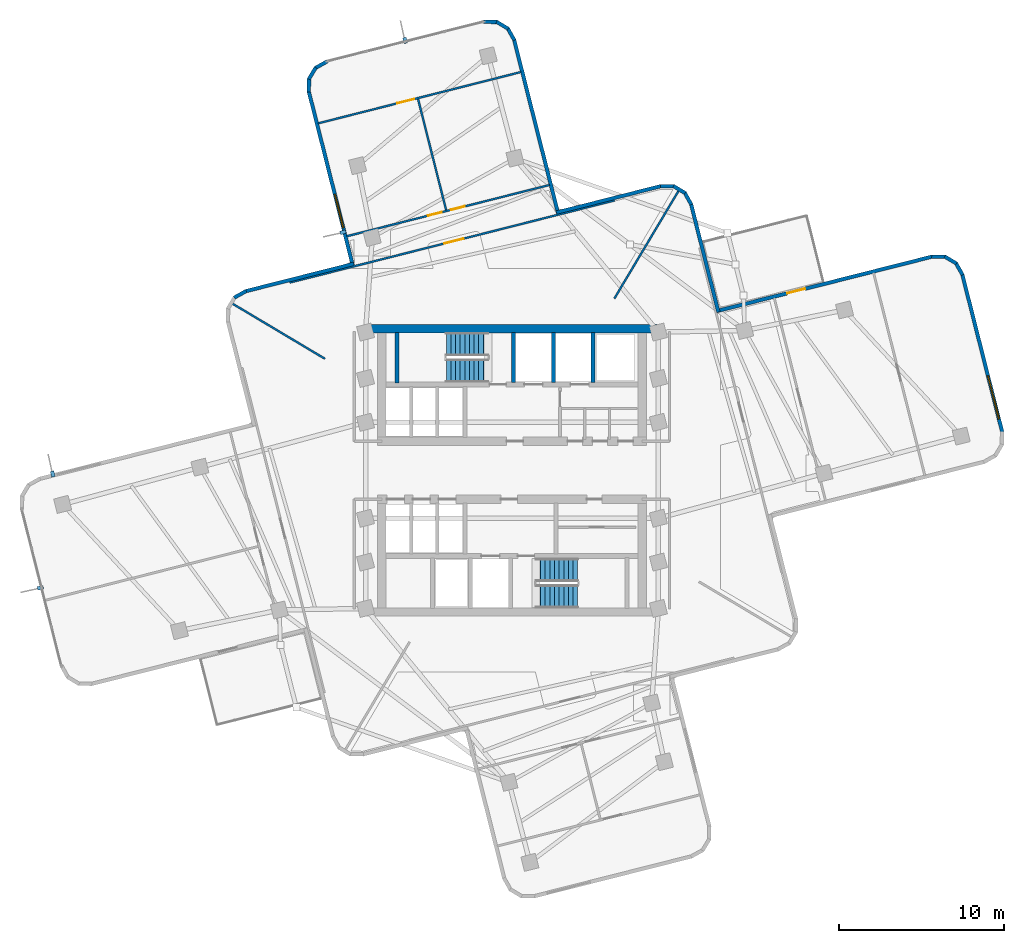
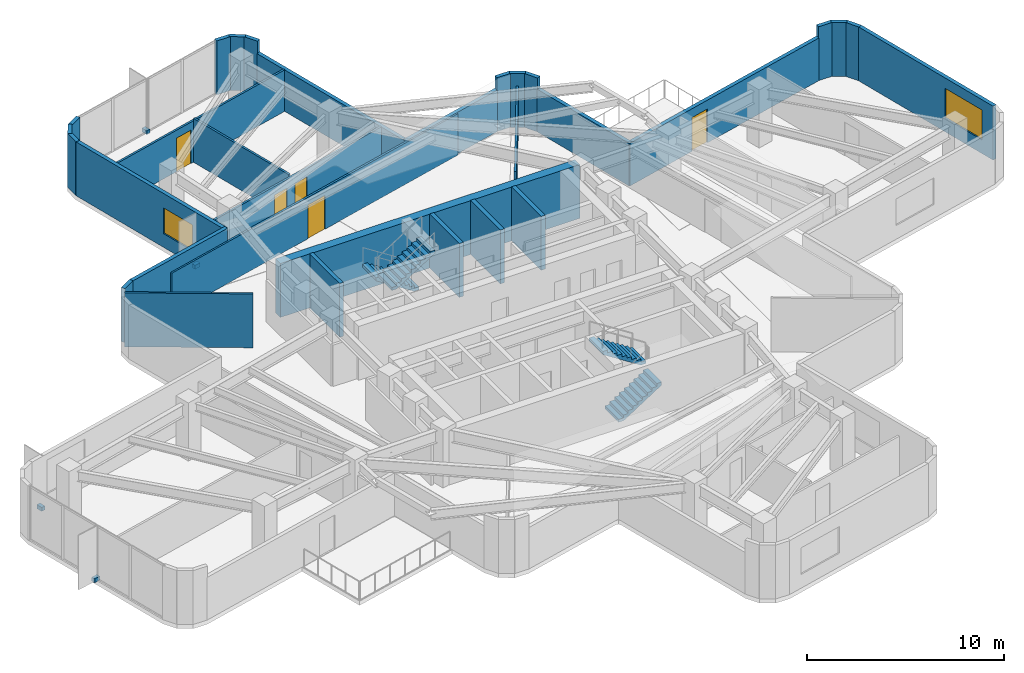
# One storey, part 8 of 11: 31 walls, 5 doors, 4 discrete accessories, 4 stair flights, 2 windows, 7 openings, 2 elements without a shape of their own.
"""IFC4 building model written with IfcOpenShell, lengths in metres."""

from ifc_helpers import new_model, si_unit, direction, frame, frame_2d, origin, origin_2d, place, context, subcontext, project, spatial, polyline, rectangle, outline, extrude, material, layer, layer_set, type_object, element, fill, aggregate, save


model = new_model("IFC4")

# Units and contexts
model_context = context("Model", 3, precision=1e-05, world=origin(), true_north=direction((0.0, 1.0)))
body_context = subcontext(model_context, "Body", "Model", "MODEL_VIEW")
ifc_project = project(units=[si_unit("LENGTHUNIT", "METRE"), si_unit("AREAUNIT", "SQUARE_METRE"), si_unit("VOLUMEUNIT", "CUBIC_METRE"), si_unit("PLANEANGLEUNIT", "RADIAN"), si_unit("MASSUNIT", "GRAM", prefix="KILO")], contexts=[model_context])

# Site, building, storey
site_placement = place(None, origin())
site = spatial("IfcSite", under=ifc_project, at=site_placement, CompositionType="ELEMENT")
building_placement = place(site_placement, origin())
building = spatial("IfcBuilding", under=site, at=building_placement, Name="Solmarez Civic Tower", CompositionType="ELEMENT")
storey_placement = place(building_placement, frame((0.0, 0.0, 127.080078125)))
storey = spatial("IfcBuildingStorey", under=building, at=storey_placement, Name="L33", CompositionType="ELEMENT", Elevation=127.080078125)

# Walls
ifc_material_1 = material(Name="Concrete C60/75", Category="concrete")
ifc_layer_1 = layer(ifc_material_1, 0.5)
ifc_layer_set_1 = layer_set([ifc_layer_1], Name="Concrete C60/75")
wall_type_1 = type_object("IfcWallType", Name="WALL-CORE-500", PredefinedType="SHEAR", material=ifc_layer_set_1)
wall_1_placement = place(storey_placement, frame((-8.780029296875, 8.56005859375, 0.0), z_axis=(0.0, 0.0, 1.0), x_axis=(1.0, 0.0, 0.0)))
element("IfcWall", 1, at=wall_1_placement, inside=storey, type_object=wall_type_1, Name="L33 Split-Core Structural Wall NCW-N-L33", PredefinedType="SHEAR", context=body_context, shape_type="SweptSolid", body=[
    extrude(rectangle(XDim=17.56005859375, YDim=0.5, at=frame_2d((8.780029296875, 0.0))), origin(), (0.0, 0.0, 1.0), 3.33984375),
])
ifc_material_2 = material(Name="Precast concrete C40/50", Category="concrete")
ifc_layer_2 = layer(ifc_material_2, 0.219970703125)
ifc_layer_set_2 = layer_set([ifc_layer_2], Name="Precast concrete C40/50")
wall_type_2 = type_object("IfcWallType", Name="WALL-EXT-220", PredefinedType="SOLIDWALL", material=ifc_layer_set_2)
wall_2_placement = place(storey_placement, frame((-16.7890625, 10.430908203125, 0.0), z_axis=(0.0, 0.0, 1.0), x_axis=(0.872870149311, 0.487952561671, 0.0)))
element("IfcWall", 2, at=wall_2_placement, inside=storey, type_object=wall_type_2, Name="L33 Exterior Precast Wall 16", PredefinedType="SOLIDWALL", context=body_context, shape_type="SweptSolid", body=[
    extrude(rectangle(XDim=0.833984375, YDim=0.219970703125, at=frame_2d((0.4169921875, 0.0))), origin(), (0.0, 0.0, 1.0), 3.33984375),
])
wall_3_placement = place(storey_placement, frame((-16.10693359375, 10.820068359375, 0.0), z_axis=(0.0, 0.0, 1.0), x_axis=(0.969443674581, 0.245314006561, 0.0)))
element("IfcWall", 3, at=wall_3_placement, inside=storey, type_object=wall_type_2, Name="L33 Exterior Precast Wall 17", PredefinedType="SOLIDWALL", context=body_context, shape_type="SweptSolid", body=[
    extrude(rectangle(XDim=6.758544921875, YDim=0.219970703125, at=frame_2d((3.37939453125, 0.0))), origin(), (0.0, 0.0, 1.0), 3.33984375),
])

# Wall, opening, window
wall_4_placement = place(storey_placement, frame((-9.617919921875, 12.37109375, 0.0), z_axis=(0.0, 0.0, 1.0), x_axis=(-0.245359810912, 0.969432082814, 0.0)))
wall_4 = element("IfcWall", 4, at=wall_4_placement, inside=storey, type_object=wall_type_2, Name="L33 Exterior Precast Wall 20", PredefinedType="SOLIDWALL", context=body_context, shape_type="SweptSolid", body=[
    extrude(rectangle(XDim=10.857666015625, YDim=0.219970703125, at=frame_2d((5.4287109375, 0.0))), origin(), (0.0, 0.0, 1.0), 3.33984375),
])
opening_1_placement = place(wall_4_placement, frame((2.35009765625, 0.0, 0.85009765625)))
opening_1 = element("IfcOpeningElement", 5, at=opening_1_placement, cuts=wall_4, Name="Opening W-11", PredefinedType="OPENING", context=body_context, shape_type="SweptSolid", body=[
    extrude(rectangle(XDim=2.10009765625, YDim=1.60009765625, at=frame_2d((1.050048828125, 0.800048828125))), frame((0.0, 0.119873046875, 0.0), z_axis=(0.0, -1.0, 0.0), x_axis=(1.0, 0.0, 0.0)), (0.0, 0.0, 1.0), 0.239990234375),
])
ifc_material_3 = material(Name="Solar Control Bronze-Tinted Insulating Glass", Category="glass")
window_type_1 = type_object("IfcWindowType", Name="WIN-2100X1600", PartitioningType="SINGLE_PANEL", PredefinedType="WINDOW", material=ifc_material_3)
window_1_placement = place(opening_1_placement, origin())
window_1 = element("IfcWindow", 6, at=window_1_placement, inside=storey, type_object=window_type_1, Name="L33 Exterior Facade Window 20", OverallHeight=1.60009765625, OverallWidth=2.10009765625, PartitioningType="SINGLE_PANEL", PredefinedType="WINDOW", context=body_context, shape_type="SweptSolid", body=[
    extrude(rectangle(XDim=2.10009765625, YDim=1.60009765625, at=frame_2d((1.050048828125, 0.800048828125))), frame((0.0, 0.030029296875, 0.0), z_axis=(0.0, -1.0, 0.0), x_axis=(1.0, 0.0, 0.0)), (0.0, 0.0, 1.0), 0.06005859375),
])
fill(opening_1, window_1)

# Walls
wall_5_placement = place(storey_placement, frame((-12.27587890625, 22.847900390625, 0.0), z_axis=(0.0, 0.0, 1.0), x_axis=(0.013172159236, 0.999913243347, 0.0)))
element("IfcWall", 7, at=wall_5_placement, inside=storey, type_object=wall_type_2, Name="L33 Exterior Precast Wall 21", PredefinedType="SOLIDWALL", context=body_context, shape_type="SweptSolid", body=[
    extrude(rectangle(XDim=0.833984375, YDim=0.219970703125, at=frame_2d((0.4169921875, 0.0))), origin(), (0.0, 0.0, 1.0), 3.33984375),
])
wall_6_placement = place(storey_placement, frame((-12.278076171875, 23.635986328125, 0.0), z_axis=(0.0, 0.0, 1.0), x_axis=(0.512960801038, 0.858412031951, 0.0)))
element("IfcWall", 8, at=wall_6_placement, inside=storey, type_object=wall_type_2, Name="L33 Exterior Precast Wall 22", PredefinedType="SOLIDWALL", context=body_context, shape_type="SweptSolid", body=[
    extrude(rectangle(XDim=0.819091796875, YDim=0.219970703125, at=frame_2d((0.40966796875, 0.0))), origin(), (0.0, 0.0, 1.0), 3.33984375),
])
wall_7_placement = place(storey_placement, frame((-11.89306640625, 24.305908203125, 0.0), z_axis=(0.0, 0.0, 1.0), x_axis=(0.872870149311, 0.487952561671, 0.0)))
element("IfcWall", 9, at=wall_7_placement, inside=storey, type_object=wall_type_2, Name="L33 Exterior Precast Wall 23", PredefinedType="SOLIDWALL", context=body_context, shape_type="SweptSolid", body=[
    extrude(rectangle(XDim=0.833984375, YDim=0.219970703125, at=frame_2d((0.4169921875, 0.0))), origin(), (0.0, 0.0, 1.0), 3.33984375),
])
wall_8_placement = place(storey_placement, frame((-1.719970703125, 27.10205078125, 0.0), z_axis=(0.0, 0.0, 1.0), x_axis=(0.999913446142, -0.01315675587, 0.0)))
element("IfcWall", 10, at=wall_8_placement, inside=storey, type_object=wall_type_2, Name="L33 Exterior Precast Wall 25", PredefinedType="SOLIDWALL", context=body_context, shape_type="SweptSolid", body=[
    extrude(rectangle(XDim=0.8349609375, YDim=0.219970703125, at=frame_2d((0.41748046875, 0.0))), origin(), (0.0, 0.0, 1.0), 3.33984375),
])
wall_9_placement = place(storey_placement, frame((-0.930908203125, 27.10400390625, 0.0), z_axis=(0.0, 0.0, 1.0), x_axis=(0.858676543827, -0.512517895376, 0.0)))
element("IfcWall", 11, at=wall_9_placement, inside=storey, type_object=wall_type_2, Name="L33 Exterior Precast Wall 26", PredefinedType="SOLIDWALL", context=body_context, shape_type="SweptSolid", body=[
    extrude(rectangle(XDim=0.8173828125, YDim=0.219970703125, at=frame_2d((0.40869140625, 0.0))), origin(), (0.0, 0.0, 1.0), 3.33984375),
])
wall_10_placement = place(storey_placement, frame((-0.261962890625, 26.719970703125, 0.0), z_axis=(0.0, 0.0, 1.0), x_axis=(0.487454303052, -0.873148499647, 0.0)))
element("IfcWall", 12, at=wall_10_placement, inside=storey, type_object=wall_type_2, Name="L33 Exterior Precast Wall 27", PredefinedType="SOLIDWALL", context=body_context, shape_type="SweptSolid", body=[
    extrude(rectangle(XDim=0.8349609375, YDim=0.219970703125, at=frame_2d((0.41748046875, 0.0))), origin(), (0.0, 0.0, 1.0), 3.33984375),
])
wall_11_placement = place(storey_placement, frame((0.126953125, 26.037109375, 0.0), z_axis=(0.0, 0.0, 1.0), x_axis=(0.245354462674, -0.969433436418, 0.0)))
element("IfcWall", 13, at=wall_11_placement, inside=storey, type_object=wall_type_2, Name="L33 Exterior Precast Wall 28", PredefinedType="SOLIDWALL", context=body_context, shape_type="SweptSolid", body=[
    extrude(rectangle(XDim=10.85791015625, YDim=0.219970703125, at=frame_2d((5.428955078125, 0.0))), origin(), (0.0, 0.0, 1.0), 2.56982421875),
])
wall_12_placement = place(storey_placement, frame((2.68408203125, 15.573974609375, 0.0), z_axis=(0.0, 0.0, 1.0), x_axis=(0.969435490349, 0.245346347134, 0.0)))
element("IfcWall", 14, at=wall_12_placement, inside=storey, type_object=wall_type_2, Name="L33 Exterior Precast Wall 31", PredefinedType="SOLIDWALL", context=body_context, shape_type="SweptSolid", body=[
    extrude(rectangle(XDim=6.53759765625, YDim=0.219970703125, at=frame_2d((3.268798828125, 0.0))), origin(), (0.0, 0.0, 1.0), 2.56982421875),
])
wall_13_placement = place(storey_placement, frame((8.972900390625, 17.172119140625, 0.0), z_axis=(0.0, 0.0, 1.0), x_axis=(0.999909345183, -0.013464821393, 0.0)))
element("IfcWall", 15, at=wall_13_placement, inside=storey, type_object=wall_type_2, Name="L33 Exterior Precast Wall 32", PredefinedType="SOLIDWALL", context=body_context, shape_type="SweptSolid", body=[
    extrude(rectangle(XDim=0.833984375, YDim=0.219970703125, at=frame_2d((0.4169921875, 0.0))), origin(), (0.0, 0.0, 1.0), 3.33984375),
])
wall_14_placement = place(storey_placement, frame((9.760986328125, 17.174072265625, 0.0), z_axis=(0.0, 0.0, 1.0), x_axis=(0.858412031951, -0.512960801038, 0.0)))
element("IfcWall", 16, at=wall_14_placement, inside=storey, type_object=wall_type_2, Name="L33 Exterior Precast Wall 33", PredefinedType="SOLIDWALL", context=body_context, shape_type="SweptSolid", body=[
    extrude(rectangle(XDim=0.819091796875, YDim=0.219970703125, at=frame_2d((0.40966796875, 0.0))), origin(), (0.0, 0.0, 1.0), 3.33984375),
])
wall_15_placement = place(storey_placement, frame((10.430908203125, 16.7890625, 0.0), z_axis=(0.0, 0.0, 1.0), x_axis=(0.487952561671, -0.872870149311, 0.0)))
element("IfcWall", 17, at=wall_15_placement, inside=storey, type_object=wall_type_2, Name="L33 Exterior Precast Wall 34", PredefinedType="SOLIDWALL", context=body_context, shape_type="SweptSolid", body=[
    extrude(rectangle(XDim=0.833984375, YDim=0.219970703125, at=frame_2d((0.4169921875, 0.0))), origin(), (0.0, 0.0, 1.0), 3.33984375),
])
wall_16_placement = place(storey_placement, frame((10.820068359375, 16.10693359375, 0.0), z_axis=(0.0, 0.0, 1.0), x_axis=(0.245314006561, -0.969443674581, 0.0)))
element("IfcWall", 18, at=wall_16_placement, inside=storey, type_object=wall_type_2, Name="L33 Exterior Precast Wall 35", PredefinedType="SOLIDWALL", context=body_context, shape_type="SweptSolid", body=[
    extrude(rectangle(XDim=6.758544921875, YDim=0.219970703125, at=frame_2d((3.37939453125, 0.0))), origin(), (0.0, 0.0, 1.0), 2.64404296875),
])

# Wall, opening, door
wall_17_placement = place(storey_placement, frame((12.37109375, 9.617919921875, 0.0), z_axis=(0.0, 0.0, 1.0), x_axis=(0.969434127448, 0.245351732293, 0.0)))
wall_17 = element("IfcWall", 19, at=wall_17_placement, inside=storey, type_object=wall_type_2, Name="L33 Exterior Precast Wall 38", PredefinedType="SOLIDWALL", context=body_context, shape_type="SweptSolid", body=[
    extrude(rectangle(XDim=13.458251953125, YDim=0.219970703125, at=frame_2d((6.72900390625, 0.0))), origin(), (0.0, 0.0, 1.0), 2.64404296875),
])
opening_2_placement = place(wall_17_placement, frame((4.39990234375, 0.0, 0.0)))
opening_2 = element("IfcOpeningElement", 20, at=opening_2_placement, cuts=wall_17, Name="Opening D-06", PredefinedType="OPENING", context=body_context, shape_type="SweptSolid", body=[
    extrude(rectangle(XDim=1.10009765625, YDim=2.10009765625, at=frame_2d((0.550048828125, 1.050048828125))), frame((0.0, 0.119873046875, 0.0), z_axis=(0.0, -1.0, 0.0), x_axis=(1.0, 0.0, 0.0)), (0.0, 0.0, 1.0), 0.239990234375),
])
ifc_material_4 = material(Name="Bronze Anodised Aluminium Glazed Terrace Door", Category="aluminium")
door_type_1 = type_object("IfcDoorType", Name="DOOR-TERR-1100", OperationType="NOTDEFINED", PredefinedType="DOOR", material=ifc_material_4)
door_1_placement = place(opening_2_placement, origin())
door_1 = element("IfcDoor", 21, at=door_1_placement, inside=storey, type_object=door_type_1, Name="L33 Outdoor Terrace Glazed Door", OperationType="SINGLE_SWING_RIGHT", OverallHeight=2.10009765625, OverallWidth=1.10009765625, PredefinedType="DOOR", context=body_context, shape_type="SweptSolid", body=[
    extrude(rectangle(XDim=1.10009765625, YDim=2.10009765625, at=frame_2d((0.550048828125, 1.050048828125))), frame((0.0, 0.02490234375, 0.0), z_axis=(0.0, -1.0, 0.0), x_axis=(1.0, 0.0, 0.0)), (0.0, 0.0, 1.0), 0.050048828125),
])
fill(opening_2, door_1)

# Walls
wall_18_placement = place(storey_placement, frame((25.368896484375, 12.9140625, 0.0), z_axis=(0.0, 0.0, 1.0), x_axis=(0.999913243347, -0.013172159236, 0.0)))
element("IfcWall", 22, at=wall_18_placement, inside=storey, type_object=wall_type_2, Name="L33 Exterior Precast Wall 39", PredefinedType="SOLIDWALL", context=body_context, shape_type="SweptSolid", body=[
    extrude(rectangle(XDim=0.833984375, YDim=0.219970703125, at=frame_2d((0.4169921875, 0.0))), origin(), (0.0, 0.0, 1.0), 3.33984375),
])
wall_19_placement = place(storey_placement, frame((26.156982421875, 12.916015625, 0.0), z_axis=(0.0, 0.0, 1.0), x_axis=(0.858543269067, -0.512741119026, 0.0)))
element("IfcWall", 23, at=wall_19_placement, inside=storey, type_object=wall_type_2, Name="L33 Exterior Precast Wall 40", PredefinedType="SOLIDWALL", context=body_context, shape_type="SweptSolid", body=[
    extrude(rectangle(XDim=0.819091796875, YDim=0.219970703125, at=frame_2d((0.40966796875, 0.0))), origin(), (0.0, 0.0, 1.0), 3.33984375),
])
wall_20_placement = place(storey_placement, frame((26.826904296875, 12.531005859375, 0.0), z_axis=(0.0, 0.0, 1.0), x_axis=(0.486561807946, -0.873646156661, 0.0)))
element("IfcWall", 24, at=wall_20_placement, inside=storey, type_object=wall_type_2, Name="L33 Exterior Precast Wall 41", PredefinedType="SOLIDWALL", context=body_context, shape_type="SweptSolid", body=[
    extrude(rectangle(XDim=0.83447265625, YDim=0.219970703125, at=frame_2d((0.417236328125, 0.0))), origin(), (0.0, 0.0, 1.0), 3.33984375),
])

# Wall, opening, window
wall_21_placement = place(storey_placement, frame((27.215087890625, 11.847900390625, 0.0), z_axis=(0.0, 0.0, 1.0), x_axis=(0.245295842673, -0.969448270702, 0.0)))
wall_21 = element("IfcWall", 25, at=wall_21_placement, inside=storey, type_object=wall_type_2, Name="L33 Exterior Precast Wall 42", PredefinedType="SOLIDWALL", context=body_context, shape_type="SweptSolid", body=[
    extrude(rectangle(XDim=9.84033203125, YDim=0.219970703125, at=frame_2d((4.920166015625, 0.0))), origin(), (0.0, 0.0, 1.0), 3.33984375),
])
opening_3_placement = place(wall_21_placement, frame((6.325927734375, 0.0, 0.85009765625)))
opening_3 = element("IfcOpeningElement", 26, at=opening_3_placement, cuts=wall_21, Name="Opening W-05", PredefinedType="OPENING", context=body_context, shape_type="SweptSolid", body=[
    extrude(rectangle(XDim=2.699951171875, YDim=1.85009765625, at=frame_2d((1.35009765625, 0.925048828125))), frame((0.0, 0.119873046875, 0.0), z_axis=(0.0, -1.0, 0.0), x_axis=(1.0, 0.0, 0.0)), (0.0, 0.0, 1.0), 0.239990234375),
])
window_type_2 = type_object("IfcWindowType", Name="WIN-2700X1850", PartitioningType="SINGLE_PANEL", PredefinedType="WINDOW", material=ifc_material_3)
window_2_placement = place(opening_3_placement, origin())
window_2 = element("IfcWindow", 27, at=window_2_placement, inside=storey, type_object=window_type_2, Name="L33 Exterior Facade Window 42", OverallHeight=1.85009765625, OverallWidth=2.699951171875, PartitioningType="SINGLE_PANEL", PredefinedType="WINDOW", context=body_context, shape_type="SweptSolid", body=[
    extrude(rectangle(XDim=2.699951171875, YDim=1.85009765625, at=frame_2d((1.35009765625, 0.925048828125))), frame((0.0, 0.030029296875, 0.0), z_axis=(0.0, -1.0, 0.0), x_axis=(1.0, 0.0, 0.0)), (0.0, 0.0, 1.0), 0.06005859375),
])
fill(opening_3, window_2)

# Walls
ifc_material_5 = material(Name="Gypsum Board Acoustic Steel-Stud Partition", Category="steel")
ifc_layer_3 = layer(ifc_material_5, 0.1201171875)
ifc_layer_set_3 = layer_set([ifc_layer_3], Name="Gypsum Board Acoustic Steel-Stud Partition")
wall_type_3 = type_object("IfcWallType", Name="WALL-INT-PART-120", PredefinedType="PARTITIONING", material=ifc_layer_set_3)
wall_22_placement = place(storey_placement, frame((6.18798828125, 10.3798828125, 0.0), z_axis=(0.0, 0.0, 1.0), x_axis=(0.511972353143, 0.859001926434, 0.0)))
element("IfcWall", 28, at=wall_22_placement, inside=storey, type_object=wall_type_3, Name="L33 Interior Partition PT-L33-QDIV-1", PredefinedType="PARTITIONING", context=body_context, shape_type="SweptSolid", body=[
    extrude(rectangle(XDim=7.59033203125, YDim=0.1201171875, at=frame_2d((3.795166015625, 0.0))), origin(), (0.0, 0.0, 1.0), 2.56982421875),
])
wall_23_placement = place(storey_placement, frame((-11.300048828125, 6.736083984375, 0.0), z_axis=(0.0, 0.0, 1.0), x_axis=(-0.858979599017, 0.512009812868, 0.0)))
element("IfcWall", 29, at=wall_23_placement, inside=storey, type_object=wall_type_3, Name="L33 Interior Partition PT-L33-QDIV-2", PredefinedType="PARTITIONING", context=body_context, shape_type="SweptSolid", body=[
    extrude(rectangle(XDim=6.519287109375, YDim=0.1201171875, at=frame_2d((3.259765625, 0.0))), origin(), (0.0, 0.0, 1.0), 3.33984375),
])

# Wall, opening, door
wall_24_placement = place(storey_placement, frame((-13.43310546875, 11.342041015625, 0.0), z_axis=(0.0, 0.0, 1.0), x_axis=(0.969459652587, 0.24525085526, 0.0)))
wall_24 = element("IfcWall", 30, at=wall_24_placement, inside=storey, type_object=wall_type_3, Name="L33 Interior Partition PT-L33-N-ENT", PredefinedType="PARTITIONING", context=body_context, shape_type="SweptSolid", body=[
    extrude(rectangle(XDim=20.2607421875, YDim=0.1201171875, at=frame_2d((10.13037109375, 0.0))), origin(), (0.0, 0.0, 1.0), 2.56982421875),
])
opening_4_placement = place(wall_24_placement, frame((9.639892578125, 0.0, 0.0)))
opening_4 = element("IfcOpeningElement", 31, at=opening_4_placement, cuts=wall_24, Name="Opening D-11", PredefinedType="OPENING", context=body_context, shape_type="SweptSolid", body=[
    extrude(rectangle(XDim=1.199951171875, YDim=2.10009765625, at=frame_2d((0.60009765625, 1.050048828125))), frame((0.0, 0.070068359375, 0.0), z_axis=(0.0, -1.0, 0.0), x_axis=(1.0, 0.0, 0.0)), (0.0, 0.0, 1.0), 0.14013671875),
])
ifc_material_6 = material(Name="Glazed-Vision Acoustic Chamber Door", Category="wood")
door_type_2 = type_object("IfcDoorType", Name="DOOR-INT-1200", OperationType="NOTDEFINED", PredefinedType="DOOR", material=ifc_material_6)
door_2_placement = place(opening_4_placement, origin())
door_2 = element("IfcDoor", 32, at=door_2_placement, inside=storey, type_object=door_type_2, Name="L33 Directorate Office First North Door", OperationType="SINGLE_SWING_LEFT", OverallHeight=2.10009765625, OverallWidth=1.199951171875, PredefinedType="DOOR", context=body_context, shape_type="SweptSolid", body=[
    extrude(rectangle(XDim=1.199951171875, YDim=2.10009765625, at=frame_2d((0.60009765625, 1.050048828125))), frame((0.0, 0.02490234375, 0.0), z_axis=(0.0, -1.0, 0.0), x_axis=(1.0, 0.0, 0.0)), (0.0, 0.0, 1.0), 0.050048828125),
])
fill(opening_4, door_2)

# Wall
wall_25_placement = place(storey_placement, frame((-3.97900390625, 15.72412109375, 0.0), z_axis=(0.0, 0.0, 1.0), x_axis=(-0.245224196517, 0.969466396242, 0.0)))
element("IfcWall", 33, at=wall_25_placement, inside=storey, type_object=wall_type_3, Name="L33 Interior Partition PT-L33-N-MM", PredefinedType="PARTITIONING", context=body_context, shape_type="SweptSolid", body=[
    extrude(rectangle(XDim=6.920166015625, YDim=0.1201171875, at=frame_2d((3.4599609375, 0.0))), origin(), (0.0, 0.0, 1.0), 2.719970703125),
])

# Wall, openings, doors
wall_26_placement = place(storey_placement, frame((2.27392578125, 17.2451171875, 0.0), z_axis=(0.0, 0.0, 1.0), x_axis=(-0.969444849394, -0.24530936383, 0.0)))
wall_26 = element("IfcWall", 34, at=wall_26_placement, inside=storey, type_object=wall_type_3, Name="L33 Interior Partition PT-L33-N-S1", PredefinedType="PARTITIONING", context=body_context, shape_type="SweptSolid", body=[
    extrude(rectangle(XDim=12.6494140625, YDim=0.1201171875, at=frame_2d((6.32470703125, 0.0))), origin(), (0.0, 0.0, 1.0), 2.56982421875),
])
opening_5_placement = place(wall_26_placement, frame((5.284912109375, 0.0, 0.0)))
opening_5 = element("IfcOpeningElement", 35, at=opening_5_placement, cuts=wall_26, Name="Opening D-14", PredefinedType="OPENING", context=body_context, shape_type="SweptSolid", body=[
    extrude(rectangle(XDim=0.860107421875, YDim=2.0400390625, at=frame_2d((0.43017578125, 1.02001953125))), frame((0.0, 0.070068359375, 0.0), z_axis=(0.0, -1.0, 0.0), x_axis=(1.0, 0.0, 0.0)), (0.0, 0.0, 1.0), 0.14013671875),
])
opening_6_placement = place(wall_26_placement, frame((6.72509765625, 0.0, 0.0)))
opening_6 = element("IfcOpeningElement", 36, at=opening_6_placement, cuts=wall_26, Name="Opening D-14", PredefinedType="OPENING", context=body_context, shape_type="SweptSolid", body=[
    extrude(rectangle(XDim=0.860107421875, YDim=2.0400390625, at=frame_2d((0.43017578125, 1.02001953125))), frame((0.0, 0.070068359375, 0.0), z_axis=(0.0, -1.0, 0.0), x_axis=(1.0, 0.0, 0.0)), (0.0, 0.0, 1.0), 0.14013671875),
])
ifc_material_7 = material(Name="Timber Storage and Pantry Door", Category="wood")
door_type_3 = type_object("IfcDoorType", Name="DOOR-INT-850", OperationType="NOTDEFINED", PredefinedType="DOOR", material=ifc_material_7)
door_3_placement = place(opening_5_placement, origin())
door_3 = element("IfcDoor", 37, at=door_3_placement, inside=storey, type_object=door_type_3, Name="L33 Staff Pantry Third North Door", OperationType="SINGLE_SWING_RIGHT", OverallHeight=2.0400390625, OverallWidth=0.860107421875, PredefinedType="DOOR", context=body_context, shape_type="SweptSolid", body=[
    extrude(rectangle(XDim=0.860107421875, YDim=2.0400390625, at=frame_2d((0.43017578125, 1.02001953125))), frame((0.0, 0.02490234375, 0.0), z_axis=(0.0, -1.0, 0.0), x_axis=(1.0, 0.0, 0.0)), (0.0, 0.0, 1.0), 0.050048828125),
])
fill(opening_5, door_3)
door_4_placement = place(opening_6_placement, origin())
door_4 = element("IfcDoor", 38, at=door_4_placement, inside=storey, type_object=door_type_3, Name="L33 Policy Boardroom Second North Door", OperationType="SINGLE_SWING_LEFT", OverallHeight=2.0400390625, OverallWidth=0.860107421875, PredefinedType="DOOR", context=body_context, shape_type="SweptSolid", body=[
    extrude(rectangle(XDim=0.860107421875, YDim=2.0400390625, at=frame_2d((0.43017578125, 1.02001953125))), frame((0.0, 0.02490234375, 0.0), z_axis=(0.0, -1.0, 0.0), x_axis=(1.0, 0.0, 0.0)), (0.0, 0.0, 1.0), 0.050048828125),
])
fill(opening_6, door_4)

# Wall, opening, door
wall_27_placement = place(storey_placement, frame((-11.716064453125, 20.966064453125, 0.0), z_axis=(0.0, 0.0, 1.0), x_axis=(0.96942764939, 0.245377326983, 0.0)))
wall_27 = element("IfcWall", 39, at=wall_27_placement, inside=storey, type_object=wall_type_3, Name="L33 Interior Partition PT-L33-N-S2", PredefinedType="PARTITIONING", context=body_context, shape_type="SweptSolid", body=[
    extrude(rectangle(XDim=12.64990234375, YDim=0.1201171875, at=frame_2d((6.324951171875, 0.0))), origin(), (0.0, 0.0, 1.0), 2.56982421875),
])
opening_7_placement = place(wall_27_placement, frame((4.93994140625, 0.0, 0.0)))
opening_7 = element("IfcOpeningElement", 40, at=opening_7_placement, cuts=wall_27, Name="Opening D-13", PredefinedType="OPENING", context=body_context, shape_type="SweptSolid", body=[
    extrude(rectangle(XDim=1.050048828125, YDim=2.080078125, at=frame_2d((0.52490234375, 1.0400390625))), frame((0.0, 0.070068359375, 0.0), z_axis=(0.0, -1.0, 0.0), x_axis=(1.0, 0.0, 0.0)), (0.0, 0.0, 1.0), 0.14013671875),
])
ifc_material_8 = material(Name="Timber Directorate Office Door", Category="wood")
door_type_4 = type_object("IfcDoorType", Name="DOOR-INT-1050", OperationType="NOTDEFINED", PredefinedType="DOOR", material=ifc_material_8)
door_5_placement = place(opening_7_placement, origin())
door_5 = element("IfcDoor", 41, at=door_5_placement, inside=storey, type_object=door_type_4, Name="L33 Ministry Open Workspace Fourth North Door", OperationType="SINGLE_SWING_LEFT", OverallHeight=2.080078125, OverallWidth=1.050048828125, PredefinedType="DOOR", context=body_context, shape_type="SweptSolid", body=[
    extrude(rectangle(XDim=1.050048828125, YDim=2.080078125, at=frame_2d((0.52490234375, 1.0400390625))), frame((0.0, 0.02490234375, 0.0), z_axis=(0.0, -1.0, 0.0), x_axis=(1.0, 0.0, 0.0)), (0.0, 0.0, 1.0), 0.050048828125),
])
fill(opening_7, door_5)

# Walls
ifc_material_9 = material(Name="Concrete C50/60", Category="concrete")
ifc_layer_4 = layer(ifc_material_9, 0.300048828125)
ifc_layer_set_4 = layer_set([ifc_layer_4], Name="Concrete C50/60")
wall_type_4 = type_object("IfcWallType", Name="WALL-STR-300", PredefinedType="SOLIDWALL", material=ifc_layer_set_4)
wall_28_placement = place(storey_placement, frame((-6.949951171875, 5.280029296875, 0.0), z_axis=(0.0, 0.0, 1.0), x_axis=(0.0, 1.0, 0.0)))
element("IfcWall", 42, at=wall_28_placement, inside=storey, type_object=wall_type_4, Name="L33 Split-Core Structural Wall SHW-NW-L33", PredefinedType="SOLIDWALL", context=body_context, shape_type="SweptSolid", body=[
    extrude(rectangle(XDim=3.06005859375, YDim=0.219970703125, at=frame_2d((1.530029296875, 0.0))), origin(), (0.0, 0.0, 1.0), 3.33984375),
])
for number, where, z_axis, x_axis, name in (
    (43, (0.10009765625, 5.300048828125, 0.0), (0.0, 0.0, 1.0), (0.0, 1.0, 0.0), "L33 Split-Core Structural Wall SHW-N1-L33"),
    (44, (2.5, 5.300048828125, 0.0), (0.0, 0.0, 1.0), (0.0, 1.0, 0.0), "L33 Split-Core Structural Wall SHW-N2-L33"),
    (45, (4.89990234375, 5.300048828125, 0.0), (0.0, 0.0, 1.0), (0.0, 1.0, 0.0), "L33 Split-Core Structural Wall SHW-N3-L33"),
):
    element("IfcWall", number, at=place(storey_placement, frame(where, z_axis=z_axis, x_axis=x_axis)), inside=storey, type_object=wall_type_4, Name=name, PredefinedType="SOLIDWALL", context=body_context, shape_type="SweptSolid", body=[
        extrude(rectangle(XDim=3.0400390625, YDim=0.25, at=frame_2d((1.52001953125, 0.0))), origin(), (0.0, 0.0, 1.0), 3.33984375),
    ])

# Stair, stair flights
stair_type = type_object("IfcStairType", Name="STAIR-DOGLEG-140W-20R-1800", PredefinedType="HALF_TURN_STAIR", material=ifc_material_9)
stair_1_placement = place(storey_placement, origin())
stair_1 = element("IfcStair", 46, at=stair_1_placement, inside=storey, type_object=stair_type, Name="L33 North Core Protected Exit Stair ST-1", PredefinedType="HALF_TURN_STAIR")
stair_flight_type = type_object("IfcStairFlightType", Name="FLIGHT-DOGLEG-140W-10R-1800", PredefinedType="STRAIGHT", material=ifc_material_9)
stair_flight_1_placement = place(storey_placement, frame((-1.449951171875, 7.6201171875, 0.0), z_axis=(0.0, 0.0, 1.0), x_axis=(-1.0, 0.0, 0.0)))
stair_flight_1 = element("IfcStairFlight", 47, at=stair_flight_1_placement, type_object=stair_flight_type, Name="ST-1 flight 1", NumberOfRisers=10, NumberOfTreads=9, PredefinedType="STRAIGHT", RiserHeight=0.18, TreadLength=0.28, context=body_context, shape_type="SweptSolid", body=[
    extrude(outline(polyline([(0.0, 0.0), (0.0, 0.179931640625), (0.280029296875, 0.179931640625), (0.280029296875, 0.360107421875), (0.56005859375, 0.360107421875), (0.56005859375, 0.5400390625), (0.840087890625, 0.5400390625), (0.840087890625, 0.719970703125), (1.1201171875, 0.719970703125), (1.1201171875, 0.89990234375), (1.39990234375, 0.89990234375), (1.39990234375, 1.080078125), (1.679931640625, 1.080078125), (1.679931640625, 1.260009765625), (1.9599609375, 1.260009765625), (1.9599609375, 1.43994140625), (2.239990234375, 1.43994140625), (2.239990234375, 1.6201171875), (2.52001953125, 1.6201171875), (2.52001953125, 1.800048828125), (2.52001953125, 1.429931640625), (0.295654296875, 0.0), (0.0, 0.0)])), frame((0.0, 0.699951171875, 0.0), z_axis=(0.0, -1.0, 0.0), x_axis=(1.0, 0.0, 0.0)), (0.0, 0.0, 1.0), 1.39990234375),
])
stair_flight_2_placement = place(storey_placement, frame((-3.969970703125, 6.02001953125, 1.7998046875), z_axis=(0.0, 0.0, 1.0), x_axis=(1.0, 0.0, 0.0)))
stair_flight_2 = element("IfcStairFlight", 48, at=stair_flight_2_placement, type_object=stair_flight_type, Name="ST-1 flight 2", NumberOfRisers=10, NumberOfTreads=9, PredefinedType="STRAIGHT", RiserHeight=0.18, TreadLength=0.28, context=body_context, shape_type="SweptSolid", body=[
    extrude(outline(polyline([(0.0, 0.0), (0.0, 0.179931640625), (0.280029296875, 0.179931640625), (0.280029296875, 0.360107421875), (0.56005859375, 0.360107421875), (0.56005859375, 0.5400390625), (0.840087890625, 0.5400390625), (0.840087890625, 0.719970703125), (1.1201171875, 0.719970703125), (1.1201171875, 0.89990234375), (1.39990234375, 0.89990234375), (1.39990234375, 1.080078125), (1.679931640625, 1.080078125), (1.679931640625, 1.260009765625), (1.9599609375, 1.260009765625), (1.9599609375, 1.43994140625), (2.239990234375, 1.43994140625), (2.239990234375, 1.6201171875), (2.52001953125, 1.6201171875), (2.52001953125, 1.800048828125), (2.52001953125, 1.429931640625), (0.295654296875, 0.0), (0.0, 0.0)])), frame((0.0, 0.699951171875, 0.0), z_axis=(0.0, -1.0, 0.0), x_axis=(1.0, 0.0, 0.0)), (0.0, 0.0, 1.0), 1.39990234375),
])
aggregate(stair_1, [stair_flight_1, stair_flight_2])

stair_2_placement = place(storey_placement, origin())
stair_2 = element("IfcStair", 49, at=stair_2_placement, inside=storey, type_object=stair_type, Name="L33 South Core Protected Exit Stair ST-2", PredefinedType="HALF_TURN_STAIR")
stair_flight_3_placement = place(storey_placement, frame((1.449951171875, -7.6201171875, 0.0), z_axis=(0.0, 0.0, 1.0), x_axis=(1.0, 0.0, 0.0)))
stair_flight_3 = element("IfcStairFlight", 50, at=stair_flight_3_placement, type_object=stair_flight_type, Name="ST-2 flight 1", NumberOfRisers=10, NumberOfTreads=9, PredefinedType="STRAIGHT", RiserHeight=0.18, TreadLength=0.28, context=body_context, shape_type="SweptSolid", body=[
    extrude(outline(polyline([(0.0, 0.0), (0.0, 0.179931640625), (0.280029296875, 0.179931640625), (0.280029296875, 0.360107421875), (0.56005859375, 0.360107421875), (0.56005859375, 0.5400390625), (0.840087890625, 0.5400390625), (0.840087890625, 0.719970703125), (1.1201171875, 0.719970703125), (1.1201171875, 0.89990234375), (1.39990234375, 0.89990234375), (1.39990234375, 1.080078125), (1.679931640625, 1.080078125), (1.679931640625, 1.260009765625), (1.9599609375, 1.260009765625), (1.9599609375, 1.43994140625), (2.239990234375, 1.43994140625), (2.239990234375, 1.6201171875), (2.52001953125, 1.6201171875), (2.52001953125, 1.800048828125), (2.52001953125, 1.429931640625), (0.295654296875, 0.0), (0.0, 0.0)])), frame((0.0, 0.699951171875, 0.0), z_axis=(0.0, -1.0, 0.0), x_axis=(1.0, 0.0, 0.0)), (0.0, 0.0, 1.0), 1.39990234375),
])
stair_flight_4_placement = place(storey_placement, frame((3.969970703125, -6.02001953125, 1.7998046875), z_axis=(0.0, 0.0, 1.0), x_axis=(-1.0, 0.0, 0.0)))
stair_flight_4 = element("IfcStairFlight", 51, at=stair_flight_4_placement, type_object=stair_flight_type, Name="ST-2 flight 2", NumberOfRisers=10, NumberOfTreads=9, PredefinedType="STRAIGHT", RiserHeight=0.18, TreadLength=0.28, context=body_context, shape_type="SweptSolid", body=[
    extrude(outline(polyline([(0.0, 0.0), (0.0, 0.179931640625), (0.280029296875, 0.179931640625), (0.280029296875, 0.360107421875), (0.56005859375, 0.360107421875), (0.56005859375, 0.5400390625), (0.840087890625, 0.5400390625), (0.840087890625, 0.719970703125), (1.1201171875, 0.719970703125), (1.1201171875, 0.89990234375), (1.39990234375, 0.89990234375), (1.39990234375, 1.080078125), (1.679931640625, 1.080078125), (1.679931640625, 1.260009765625), (1.9599609375, 1.260009765625), (1.9599609375, 1.43994140625), (2.239990234375, 1.43994140625), (2.239990234375, 1.6201171875), (2.52001953125, 1.6201171875), (2.52001953125, 1.800048828125), (2.52001953125, 1.429931640625), (0.295654296875, 0.0), (0.0, 0.0)])), frame((0.0, 0.699951171875, 0.0), z_axis=(0.0, -1.0, 0.0), x_axis=(1.0, 0.0, 0.0)), (0.0, 0.0, 1.0), 1.39990234375),
])
aggregate(stair_2, [stair_flight_3, stair_flight_4])

# Discrete accessories
ifc_material_10 = material(Name="Stainless Steel Grade 1.4401", Category="steel")
discrete_accessory_type = type_object("IfcDiscreteAccessoryType", Name="BRACKET-SS-FIN", PredefinedType="BRACKET", material=ifc_material_10)
for number, where, z_axis, x_axis, name in (
    (52, (-28.5, -7.097900390625, -0.06005859375), (0.0, 0.0, 1.0), (-0.969441591109, -0.24532223998, 0.0), "L33 Stainless Fin Support Bracket FIN-L33-01"),
    (53, (-27.7529296875, -0.22509765625, -0.06005859375), (0.0, 0.0, 1.0), (-0.245338073059, 0.969437584328, 0.0), "L33 Stainless Fin Support Bracket FIN-L33-02"),
    (54, (-10.2109375, 14.386962890625, -0.06005859375), (0.0, 0.0, 1.0), (-0.969443274604, -0.245315587203, 0.0), "L33 Stainless Fin Support Bracket FIN-L33-03"),
    (55, (-6.4609375, 25.97900390625, -0.06005859375), (0.0, 0.0, 1.0), (-0.245226250511, 0.969465876687, 0.0), "L33 Stainless Fin Support Bracket FIN-L33-04"),
):
    element("IfcDiscreteAccessory", number, at=place(storey_placement, frame(where, z_axis=z_axis, x_axis=x_axis)), inside=storey, type_object=discrete_accessory_type, Name=name, PredefinedType="BRACKET", context=body_context, shape_type="SweptSolid", body=[
        extrude(rectangle(XDim=0.360107421875, YDim=0.219970703125, at=origin_2d()), origin(), (0.0, 0.0, 1.0), 0.239990234375),
    ])

save(model, "model.ifc")
